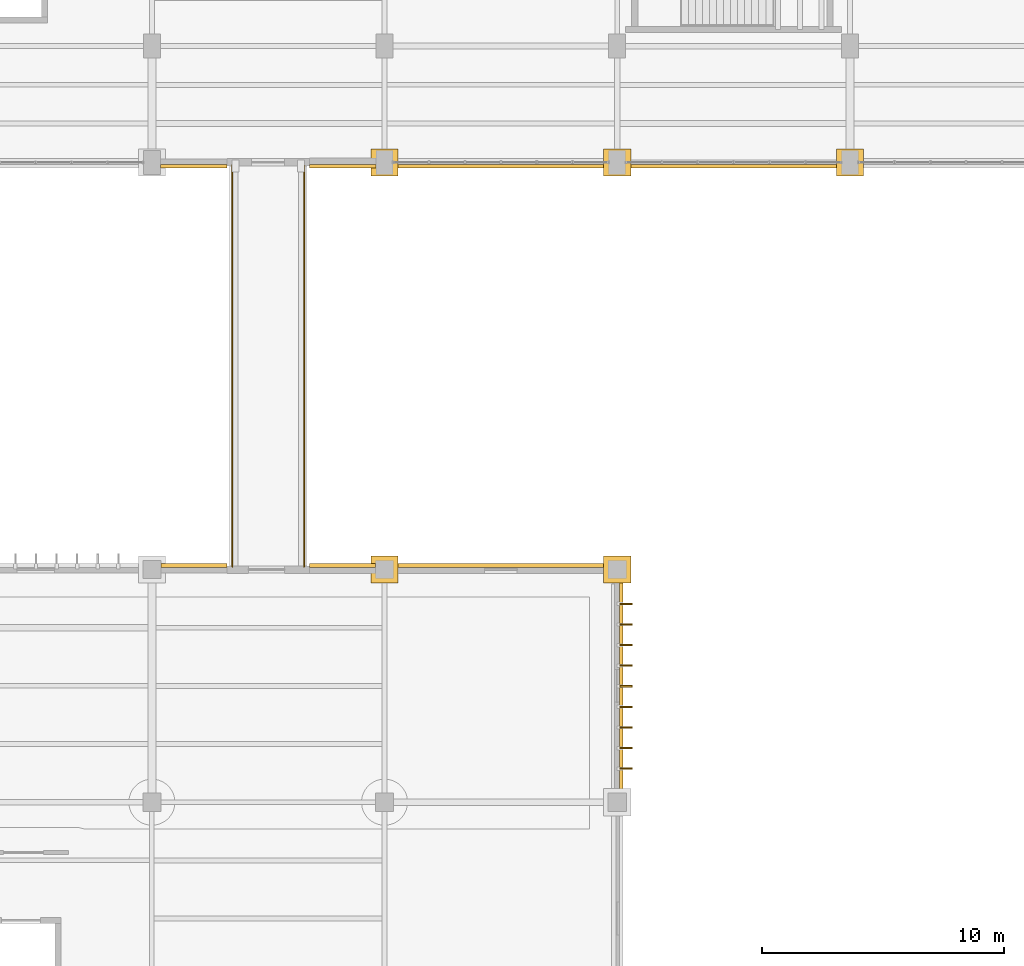
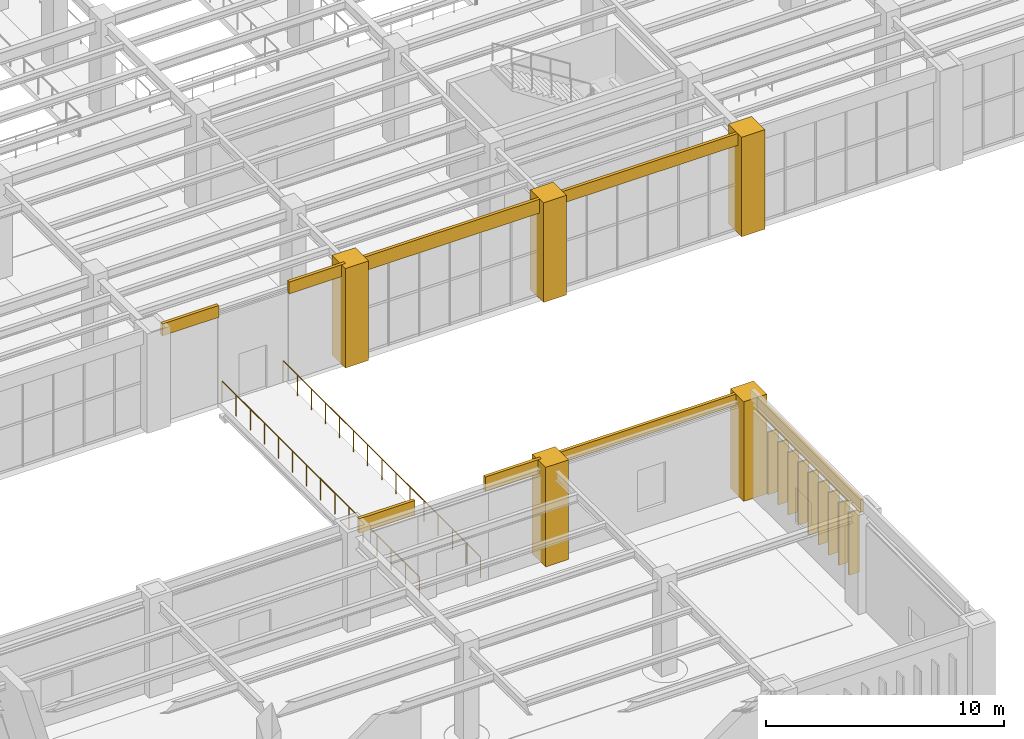
# One storey, part 171 of 174: 13 coverings, 9 shading devices, 2 railings.
"""IFC4 building model written with IfcOpenShell, lengths in metres."""

import ifcopenshell
import ifcopenshell.guid

model = None  # the IFC model being written
_history = None  # IfcOwnerHistory: only IFC2X3 demands one
_inside = {}  # id of a spatial element -> (the spatial element, [elements in it])
_under = {}  # id of a project, library or spatial element -> (it, [spatial elements below it])
_declared = {}  # id of a project -> (the project, [libraries it declares])
_typed = {}  # id of a type object -> (the type object, [elements of that type])
_made_of = {}  # id of a material, layer set ... -> (it, [elements and type objects made of it])


def new_model(schema):
    """Start an empty IFC model of exactly this schema.

    Asked for "IFC4X3", IfcOpenShell would pick the latest addendum, in which some entities
    have other attributes; the version numbers below select the first issue.
    IFC2X3 requires an IfcOwnerHistory on every rooted entity: one is made here for all.
    """
    global model, _history
    if schema == "IFC4X3":
        model = ifcopenshell.file(schema_version=(4, 3, 0, 0))
    else:
        model = ifcopenshell.file(schema=schema)
    _inside.clear()
    _under.clear()
    _declared.clear()
    _typed.clear()
    _made_of.clear()
    _history = None
    if model.schema == "IFC2X3":
        org = make("IfcOrganization", Name="unknown")
        user = make(
            "IfcPersonAndOrganization",
            ThePerson=make("IfcPerson", FamilyName="unknown"),
            TheOrganization=org,
        )
        app = make(
            "IfcApplication",
            ApplicationDeveloper=org,
            Version="unknown",
            ApplicationFullName="unknown",
            ApplicationIdentifier="unknown",
        )
        _history = make(
            "IfcOwnerHistory",
            OwningUser=user,
            OwningApplication=app,
            ChangeAction="ADDED",
            CreationDate=0,
        )
    return model


def make(cls, **values):
    """One entity of the class cls with the attributes given. An attribute that is None is left unset."""
    return model.create_entity(
        cls, **{name: value for name, value in values.items() if value is not None}
    )


def rooted(cls, **values):
    """An entity with a GlobalId (a new one), such as an element, a storey or a relation."""
    return make(cls, GlobalId=ifcopenshell.guid.new(), OwnerHistory=_history, **values)


def si_unit(unit_type, name, prefix=None):
    """IfcSIUnit, for example si_unit("LENGTHUNIT", "METRE", prefix="MILLI")."""
    return make("IfcSIUnit", UnitType=unit_type, Prefix=prefix, Name=name)


def assignment(units):
    """IfcUnitAssignment: the units of a project."""
    return None if units is None else make("IfcUnitAssignment", Units=units)


def point(xyz):
    """IfcCartesianPoint."""
    return None if xyz is None else make("IfcCartesianPoint", Coordinates=xyz)


def direction(xyz):
    """IfcDirection."""
    return None if xyz is None else make("IfcDirection", DirectionRatios=xyz)


def frame(location, z_axis=None, x_axis=None):
    """IfcAxis2Placement3D, a coordinate frame: its origin and axes. An axis left out is left unset."""
    return make(
        "IfcAxis2Placement3D",
        Location=point(location),
        Axis=direction(z_axis),
        RefDirection=direction(x_axis),
    )


def frame_2d(location, x_axis=None):
    """IfcAxis2Placement2D, a coordinate frame in the plane: its origin and x axis."""
    return make(
        "IfcAxis2Placement2D", Location=point(location), RefDirection=direction(x_axis)
    )


def origin():
    """The frame at (0, 0, 0) with its axes left unset."""
    return frame((0.0, 0.0, 0.0))


def origin_2d():
    """The frame at (0, 0) in the plane with its x axis left unset."""
    return frame_2d((0.0, 0.0))


def place(relative_to, where):
    """IfcLocalPlacement: puts the frame where relative to a parent placement (None: the world)."""
    return make(
        "IfcLocalPlacement", PlacementRelTo=relative_to, RelativePlacement=where
    )


def context(
    kind, dimensions, precision=None, world=None, true_north=None, identifier=None
):
    """IfcGeometricRepresentationContext, for example the 3D "Model" context."""
    return make(
        "IfcGeometricRepresentationContext",
        ContextIdentifier=identifier,
        ContextType=kind,
        CoordinateSpaceDimension=dimensions,
        Precision=precision,
        WorldCoordinateSystem=world,
        TrueNorth=true_north,
    )


def subcontext(parent, identifier, kind, view, scale=None):
    """IfcGeometricRepresentationSubContext, for example "Body" below "Model"."""
    return make(
        "IfcGeometricRepresentationSubContext",
        ContextIdentifier=identifier,
        ContextType=kind,
        ParentContext=parent,
        TargetScale=scale,
        TargetView=view,
    )


def project(units=None, contexts=None):
    """IfcProject with its units and contexts."""
    return rooted(
        "IfcProject",
        Name="project",
        RepresentationContexts=contexts,
        UnitsInContext=assignment(units),
    )


def spatial(cls, under=None, at=None, **own):
    """A site, building, storey or space (cls), placed at a placement, below another one or the project."""
    s = rooted(cls, ObjectPlacement=at, **own)
    if under is not None:
        _under.setdefault(under.id(), (under, []))[1].append(s)
    return s


def polyline(points):
    """IfcPolyline through the points."""
    return make("IfcPolyline", Points=[point(p) for p in points])


def profile(cls, at=None, kind="AREA", **sizes):
    """A parametric profile (cls). Its sizes go by their IFC names, for example OverallWidth=200.0."""
    return make(cls, ProfileType=kind, Position=at, **sizes)


def rectangle(**sizes):
    """IfcRectangleProfileDef."""
    return profile("IfcRectangleProfileDef", **sizes)


def circle(**sizes):
    """IfcCircleProfileDef."""
    return profile("IfcCircleProfileDef", **sizes)


def outline(outer, holes=None, kind="AREA"):
    """IfcArbitraryClosedProfileDef: a profile drawn as a closed curve; with holes, ...WithVoids."""
    if holes is None:
        return make("IfcArbitraryClosedProfileDef", ProfileType=kind, OuterCurve=outer)
    return make(
        "IfcArbitraryProfileDefWithVoids",
        ProfileType=kind,
        OuterCurve=outer,
        InnerCurves=holes,
    )


def extrude(swept, where, along, depth):
    """IfcExtrudedAreaSolid: the profile swept, set in the frame where, extruded along a direction by depth."""
    return make(
        "IfcExtrudedAreaSolid",
        SweptArea=swept,
        Position=where,
        ExtrudedDirection=direction(along),
        Depth=depth,
    )


def shape(context_of_items, identifier, shape_type, items):
    """IfcShapeRepresentation: the items that make up one representation, for example the "Body"."""
    return make(
        "IfcShapeRepresentation",
        ContextOfItems=context_of_items,
        RepresentationIdentifier=identifier,
        RepresentationType=shape_type,
        Items=items,
    )


def material(Name=None, Category=None):
    """IfcMaterial."""
    return make("IfcMaterial", Name=Name, Category=Category)


def layer(
    of_material, thickness, ventilated=None, Name=None, Category=None, Priority=None
):
    """IfcMaterialLayer: one layer of a wall or slab, of a material (None: an air gap)."""
    return make(
        "IfcMaterialLayer",
        Material=of_material,
        LayerThickness=thickness,
        IsVentilated=ventilated,
        Name=Name,
        Category=Category,
        Priority=Priority,
    )


def layer_set(layers, Name=None):
    """IfcMaterialLayerSet."""
    return make("IfcMaterialLayerSet", MaterialLayers=layers, LayerSetName=Name)


def made_of(thing, what):
    """Note that an element or type object is made of a material, layer set ...; save() writes the relation."""
    if what is not None:
        _made_of.setdefault(what.id(), (what, []))[1].append(thing)
    return thing


def type_object(cls, material=None, **own):
    """A type object (cls), such as IfcWallType, which elements share."""
    return made_of(rooted(cls, **own), material)


def element(
    cls,
    number,
    at=None,
    inside=None,
    cuts=None,
    type_object=None,
    material=None,
    context=None,
    identifier="Body",
    shape_type=None,
    held_by="IfcProductDefinitionShape",
    body=None,
    shapes=None,
    **own,
):
    """One element of the class cls, such as IfcWall. Its Tag is "e" and its number.

    at: its placement. inside: the storey or other place that contains it. cuts: it is an
    opening in that element (IfcRelVoidsElement). A single representation is given by context,
    identifier, shape_type and body (its items); several are given by shapes. held_by: the class
    of the entity that holds the representations. save() writes the other relations.
    """
    e = rooted(cls, Tag="e%d" % number, ObjectPlacement=at, **own)
    if body is not None:
        shapes = [shape(context, identifier, shape_type, body)]
    if shapes is not None:
        e.Representation = make(held_by, Representations=shapes)
    if inside is not None:
        _inside.setdefault(inside.id(), (inside, []))[1].append(e)
    if cuts is not None:
        rooted(
            "IfcRelVoidsElement", RelatingBuildingElement=cuts, RelatedOpeningElement=e
        )
    if type_object is not None:
        _typed.setdefault(type_object.id(), (type_object, []))[1].append(e)
    return made_of(e, material)


def aggregate(whole, parts):
    """IfcRelAggregates: a whole, such as a stair, and the parts it consists of."""
    return rooted("IfcRelAggregates", RelatingObject=whole, RelatedObjects=parts)


def save(model, path):
    """Write the relations noted so far, then the file.

    IfcRelAggregates (storeys below a building ...), IfcRelContainedInSpatialStructure (elements
    in a storey), IfcRelDefinesByType, IfcRelAssociatesMaterial and IfcRelDeclares: one each for
    every whole, place, type object, material and project.
    """
    for whole, parts in _under.values():
        aggregate(whole, parts)
    for where, things in _inside.values():
        rooted(
            "IfcRelContainedInSpatialStructure",
            RelatedElements=things,
            RelatingStructure=where,
        )
    for kind, things in _typed.values():
        rooted("IfcRelDefinesByType", RelatedObjects=things, RelatingType=kind)
    for what, things in _made_of.values():
        rooted("IfcRelAssociatesMaterial", RelatedObjects=things, RelatingMaterial=what)
    for by, libraries in _declared.values():
        rooted("IfcRelDeclares", RelatingContext=by, RelatedDefinitions=libraries)
    model.write(path)


model = new_model("IFC4")

# Units and contexts
model_context = context("Model", 3, precision=1e-05, world=origin(), true_north=direction((0.0, 1.0)))
body_context = subcontext(model_context, "Body", "Model", "MODEL_VIEW")
ifc_project = project(units=[si_unit("LENGTHUNIT", "METRE"), si_unit("AREAUNIT", "SQUARE_METRE"), si_unit("VOLUMEUNIT", "CUBIC_METRE"), si_unit("PLANEANGLEUNIT", "RADIAN"), si_unit("MASSUNIT", "GRAM", prefix="KILO")], contexts=[model_context])

# Site, building, storey
site_placement = place(None, origin())
site = spatial("IfcSite", under=ifc_project, at=site_placement, CompositionType="ELEMENT")
building_placement = place(site_placement, origin())
building = spatial("IfcBuilding", under=site, at=building_placement, Name="Mavantir Sound Aquarium", CompositionType="ELEMENT")
storey_placement = place(building_placement, frame((0.0, 0.0, 5.39990234375)))
storey = spatial("IfcBuildingStorey", under=building, at=storey_placement, Name="L01", CompositionType="ELEMENT", Elevation=5.39990234375)

# Coverings
ifc_material_1 = material(Name="Honed Coral-Limestone & Glazed Terracotta Rainscreen Cladding", Category="masonry")
ifc_layer = layer(ifc_material_1, 0.06005859375, Name="Honed Coral-Limestone & Glazed Terracotta Rainscreen Cladding")
ifc_layer_set = layer_set([ifc_layer], Name="Honed Coral-Limestone & Glazed Terracotta Rainscreen Cladding")
covering_type = type_object("IfcCoveringType", Name="COV-CLAD-TC", PredefinedType="CLADDING", material=ifc_layer_set)
covering_1_placement = place(storey_placement, frame((0.0, 0.0, 4.4931640625)))
element("IfcCovering", 1, at=covering_1_placement, inside=storey, type_object=covering_type, Name="L01 Postmodern coral-limestone spandrel frieze 227", PredefinedType="CLADDING", context=body_context, shape_type="SweptSolid", body=[
    extrude(outline(polyline([(127.55810546875, 35.909912109375), (130.294921875, 35.909912109375), (130.294921875, 35.760009765625), (127.55810546875, 35.760009765625), (127.55810546875, 35.909912109375)])), origin(), (0.0, 0.0, 1.0), 0.60693359375),
])
covering_2_placement = place(storey_placement, frame((0.0, 0.0, 4.4931640625)))
element("IfcCovering", 2, at=covering_2_placement, inside=storey, type_object=covering_type, Name="L01 Postmodern coral-limestone spandrel frieze 228", PredefinedType="CLADDING", context=body_context, shape_type="SweptSolid", body=[
    extrude(outline(polyline([(133.705078125, 35.909912109375), (136.44189453125, 35.909912109375), (136.44189453125, 35.760009765625), (133.705078125, 35.760009765625), (133.705078125, 35.909912109375)])), origin(), (0.0, 0.0, 1.0), 0.60693359375),
])
covering_3_placement = place(storey_placement, frame((0.0, 0.0, 4.38818359375)))
element("IfcCovering", 3, at=covering_3_placement, inside=storey, type_object=covering_type, Name="L01 Postmodern coral-limestone spandrel frieze 229", PredefinedType="CLADDING", context=body_context, shape_type="SweptSolid", body=[
    extrude(outline(polyline([(137.157958984375, 35.909912109375), (146.0419921875, 35.909912109375), (146.0419921875, 35.760009765625), (137.157958984375, 35.760009765625), (137.157958984375, 35.909912109375)])), origin(), (0.0, 0.0, 1.0), 0.7119140625),
])
covering_4_placement = place(storey_placement, frame((0.0, 0.0, 4.4931640625)))
element("IfcCovering", 4, at=covering_4_placement, inside=storey, type_object=covering_type, Name="L01 Postmodern coral-limestone spandrel frieze 230", PredefinedType="CLADDING", context=body_context, shape_type="SweptSolid", body=[
    extrude(outline(polyline([(146.758056640625, 35.909912109375), (155.64208984375, 35.909912109375), (155.64208984375, 35.760009765625), (146.758056640625, 35.760009765625), (146.758056640625, 35.909912109375)])), origin(), (0.0, 0.0, 1.0), 0.60693359375),
])
covering_5_placement = place(storey_placement, frame((0.0, 0.0, 4.427978515625)))
element("IfcCovering", 5, at=covering_5_placement, inside=storey, type_object=covering_type, Name="L01 Postmodern coral-limestone spandrel frieze 261", PredefinedType="CLADDING", context=body_context, shape_type="SweptSolid", body=[
    extrude(outline(polyline([(146.489990234375, 9.98291015625), (146.489990234375, 18.81689453125), (146.639892578125, 18.81689453125), (146.639892578125, 9.98291015625), (146.489990234375, 9.98291015625)])), origin(), (0.0, 0.0, 1.0), 0.672119140625),
])
covering_6_placement = place(storey_placement, frame((0.0, 0.0, 4.533203125)))
element("IfcCovering", 6, at=covering_6_placement, inside=storey, type_object=covering_type, Name="L01 Postmodern coral-limestone spandrel frieze 262", PredefinedType="CLADDING", context=body_context, shape_type="SweptSolid", body=[
    extrude(outline(polyline([(146.01708984375, 19.2900390625), (137.18310546875, 19.2900390625), (137.18310546875, 19.43994140625), (146.01708984375, 19.43994140625), (146.01708984375, 19.2900390625)])), origin(), (0.0, 0.0, 1.0), 0.56689453125),
])
covering_7_placement = place(storey_placement, frame((0.0, 0.0, 4.358154296875)))
element("IfcCovering", 7, at=covering_7_placement, inside=storey, type_object=covering_type, Name="L01 Postmodern coral-limestone spandrel frieze 263", PredefinedType="CLADDING", context=body_context, shape_type="SweptSolid", body=[
    extrude(outline(polyline([(136.4169921875, 19.2900390625), (133.705078125, 19.2900390625), (133.705078125, 19.43994140625), (136.4169921875, 19.43994140625), (136.4169921875, 19.2900390625)])), origin(), (0.0, 0.0, 1.0), 0.741943359375),
])
covering_8_placement = place(storey_placement, frame((0.0, 0.0, 4.358154296875)))
element("IfcCovering", 8, at=covering_8_placement, inside=storey, type_object=covering_type, Name="L01 Postmodern coral-limestone spandrel frieze 264", PredefinedType="CLADDING", context=body_context, shape_type="SweptSolid", body=[
    extrude(outline(polyline([(130.294921875, 19.2900390625), (127.5830078125, 19.2900390625), (127.5830078125, 19.43994140625), (130.294921875, 19.43994140625), (130.294921875, 19.2900390625)])), origin(), (0.0, 0.0, 1.0), 0.741943359375),
])
covering_9_placement = place(storey_placement, origin())
element("IfcCovering", 9, at=covering_9_placement, inside=storey, type_object=covering_type, Name="L01 Postmodern coral-limestone pilaster casing 276", PredefinedType="CLADDING", context=body_context, shape_type="SweptSolid", body=[
    extrude(outline(polyline([(136.239990234375, 35.43994140625), (137.360107421875, 35.43994140625), (137.360107421875, 36.56005859375), (136.239990234375, 36.56005859375), (136.239990234375, 35.43994140625)])), origin(), (0.0, 0.0, 1.0), 5.10009765625),
])
covering_10_placement = place(storey_placement, origin())
element("IfcCovering", 10, at=covering_10_placement, inside=storey, type_object=covering_type, Name="L01 Postmodern coral-limestone pilaster casing 288", PredefinedType="CLADDING", context=body_context, shape_type="SweptSolid", body=[
    extrude(outline(polyline([(145.840087890625, 35.43994140625), (146.9599609375, 35.43994140625), (146.9599609375, 36.56005859375), (145.840087890625, 36.56005859375), (145.840087890625, 35.43994140625)])), origin(), (0.0, 0.0, 1.0), 5.10009765625),
])
covering_11_placement = place(storey_placement, origin())
element("IfcCovering", 11, at=covering_11_placement, inside=storey, type_object=covering_type, Name="L01 Postmodern coral-limestone pilaster casing 300", PredefinedType="CLADDING", context=body_context, shape_type="SweptSolid", body=[
    extrude(outline(polyline([(155.43994140625, 35.43994140625), (156.56005859375, 35.43994140625), (156.56005859375, 36.56005859375), (155.43994140625, 36.56005859375), (155.43994140625, 35.43994140625)])), origin(), (0.0, 0.0, 1.0), 5.10009765625),
])
covering_12_placement = place(storey_placement, origin())
element("IfcCovering", 12, at=covering_12_placement, inside=storey, type_object=covering_type, Name="L01 Postmodern coral-limestone pilaster casing 451", PredefinedType="CLADDING", context=body_context, shape_type="SweptSolid", body=[
    extrude(outline(polyline([(136.239990234375, 18.639892578125), (137.360107421875, 18.639892578125), (137.360107421875, 19.760009765625), (136.239990234375, 19.760009765625), (136.239990234375, 18.639892578125)])), origin(), (0.0, 0.0, 1.0), 5.10009765625),
])
covering_13_placement = place(storey_placement, origin())
element("IfcCovering", 13, at=covering_13_placement, inside=storey, type_object=covering_type, Name="L01 Postmodern coral-limestone pilaster casing 457", PredefinedType="CLADDING", context=body_context, shape_type="SweptSolid", body=[
    extrude(outline(polyline([(145.840087890625, 18.639892578125), (146.9599609375, 18.639892578125), (146.9599609375, 19.760009765625), (145.840087890625, 19.760009765625), (145.840087890625, 18.639892578125)])), origin(), (0.0, 0.0, 1.0), 5.10009765625),
])

# Railings
ifc_material_2 = material(Name="Stainless Steel 316 Bridge Balustrade", Category="steel")
railing_type = type_object("IfcRailingType", Name="RL-BAL-110", PredefinedType="BALUSTRADE", material=ifc_material_2)
railing_1_placement = place(storey_placement, frame((130.52001953125, 19.320068359375, 0.0)))
element("IfcRailing", 14, at=railing_1_placement, inside=storey, type_object=railing_type, Name="L01 bridge W guardrail 10", PredefinedType="BALUSTRADE", context=body_context, shape_type="SweptSolid", body=[
    extrude(circle(Radius=0.02392578125, at=origin_2d()), frame((0.0, 0.0, 1.076171875), z_axis=(0.0, 1.0, 0.0), x_axis=(-1.0, 0.0, 0.0)), (0.0, 0.0, 1.0), 16.559814453125),
    extrude(circle(Radius=0.02099609375, at=origin_2d()), origin(), (0.0, 0.0, 1.0), 1.052001953125),
    extrude(circle(Radius=0.02099609375, at=origin_2d()), frame((0.0, 1.182861328125, 0.0)), (0.0, 0.0, 1.0), 1.052001953125),
    extrude(circle(Radius=0.02099609375, at=origin_2d()), frame((0.0, 2.36572265625, 0.0)), (0.0, 0.0, 1.0), 1.052001953125),
    extrude(circle(Radius=0.02099609375, at=origin_2d()), frame((0.0, 3.548583984375, 0.0)), (0.0, 0.0, 1.0), 1.052001953125),
    extrude(circle(Radius=0.02099609375, at=origin_2d()), frame((0.0, 4.7314453125, 0.0)), (0.0, 0.0, 1.0), 1.052001953125),
    extrude(circle(Radius=0.02099609375, at=origin_2d()), frame((0.0, 5.914306640625, 0.0)), (0.0, 0.0, 1.0), 1.052001953125),
    extrude(circle(Radius=0.02099609375, at=origin_2d()), frame((0.0, 7.09716796875, 0.0)), (0.0, 0.0, 1.0), 1.052001953125),
    extrude(circle(Radius=0.02099609375, at=origin_2d()), frame((0.0, 8.27978515625, 0.0)), (0.0, 0.0, 1.0), 1.052001953125),
    extrude(circle(Radius=0.02099609375, at=origin_2d()), frame((0.0, 9.462646484375, 0.0)), (0.0, 0.0, 1.0), 1.052001953125),
    extrude(circle(Radius=0.02099609375, at=origin_2d()), frame((0.0, 10.6455078125, 0.0)), (0.0, 0.0, 1.0), 1.052001953125),
    extrude(circle(Radius=0.02099609375, at=origin_2d()), frame((0.0, 11.828369140625, 0.0)), (0.0, 0.0, 1.0), 1.052001953125),
    extrude(circle(Radius=0.02099609375, at=origin_2d()), frame((0.0, 13.01123046875, 0.0)), (0.0, 0.0, 1.0), 1.052001953125),
    extrude(circle(Radius=0.02099609375, at=origin_2d()), frame((0.0, 14.194091796875, 0.0)), (0.0, 0.0, 1.0), 1.052001953125),
    extrude(circle(Radius=0.02099609375, at=origin_2d()), frame((0.0, 15.376953125, 0.0)), (0.0, 0.0, 1.0), 1.052001953125),
    extrude(circle(Radius=0.02099609375, at=origin_2d()), frame((0.0, 16.559814453125, 0.0)), (0.0, 0.0, 1.0), 1.052001953125),
])
railing_2_placement = place(storey_placement, frame((133.47998046875, 19.320068359375, 0.0)))
element("IfcRailing", 15, at=railing_2_placement, inside=storey, type_object=railing_type, Name="L01 bridge E guardrail 11", PredefinedType="BALUSTRADE", context=body_context, shape_type="SweptSolid", body=[
    extrude(circle(Radius=0.02392578125, at=origin_2d()), frame((0.0, 0.0, 1.076171875), z_axis=(0.0, 1.0, 0.0), x_axis=(-1.0, 0.0, 0.0)), (0.0, 0.0, 1.0), 16.559814453125),
    extrude(circle(Radius=0.02099609375, at=origin_2d()), origin(), (0.0, 0.0, 1.0), 1.052001953125),
    extrude(circle(Radius=0.02099609375, at=origin_2d()), frame((0.0, 1.182861328125, 0.0)), (0.0, 0.0, 1.0), 1.052001953125),
    extrude(circle(Radius=0.02099609375, at=origin_2d()), frame((0.0, 2.36572265625, 0.0)), (0.0, 0.0, 1.0), 1.052001953125),
    extrude(circle(Radius=0.02099609375, at=origin_2d()), frame((0.0, 3.548583984375, 0.0)), (0.0, 0.0, 1.0), 1.052001953125),
    extrude(circle(Radius=0.02099609375, at=origin_2d()), frame((0.0, 4.7314453125, 0.0)), (0.0, 0.0, 1.0), 1.052001953125),
    extrude(circle(Radius=0.02099609375, at=origin_2d()), frame((0.0, 5.914306640625, 0.0)), (0.0, 0.0, 1.0), 1.052001953125),
    extrude(circle(Radius=0.02099609375, at=origin_2d()), frame((0.0, 7.09716796875, 0.0)), (0.0, 0.0, 1.0), 1.052001953125),
    extrude(circle(Radius=0.02099609375, at=origin_2d()), frame((0.0, 8.27978515625, 0.0)), (0.0, 0.0, 1.0), 1.052001953125),
    extrude(circle(Radius=0.02099609375, at=origin_2d()), frame((0.0, 9.462646484375, 0.0)), (0.0, 0.0, 1.0), 1.052001953125),
    extrude(circle(Radius=0.02099609375, at=origin_2d()), frame((0.0, 10.6455078125, 0.0)), (0.0, 0.0, 1.0), 1.052001953125),
    extrude(circle(Radius=0.02099609375, at=origin_2d()), frame((0.0, 11.828369140625, 0.0)), (0.0, 0.0, 1.0), 1.052001953125),
    extrude(circle(Radius=0.02099609375, at=origin_2d()), frame((0.0, 13.01123046875, 0.0)), (0.0, 0.0, 1.0), 1.052001953125),
    extrude(circle(Radius=0.02099609375, at=origin_2d()), frame((0.0, 14.194091796875, 0.0)), (0.0, 0.0, 1.0), 1.052001953125),
    extrude(circle(Radius=0.02099609375, at=origin_2d()), frame((0.0, 15.376953125, 0.0)), (0.0, 0.0, 1.0), 1.052001953125),
    extrude(circle(Radius=0.02099609375, at=origin_2d()), frame((0.0, 16.559814453125, 0.0)), (0.0, 0.0, 1.0), 1.052001953125),
])

# Shading devices
ifc_material_3 = material(Name="Anodised Terracotta-Finish Aluminium Brise-Soleil", Category="masonry")
shading_device_type = type_object("IfcShadingDeviceType", Name="SHD-FIN-520", PredefinedType="JALOUSIE", material=ifc_material_3)
for number, where, z_axis, x_axis, name in (
    (16, (146.760009765625, 10.98291015625, 0.63916015625), (0.0, 0.0, 1.0), (0.0, -1.0, 0.0), "Tropical solar brise-soleil fin 29"),
    (17, (146.760009765625, 11.8330078125, 0.63916015625), (0.0, 0.0, 1.0), (0.0, -1.0, 0.0), "Tropical solar brise-soleil fin 30"),
    (18, (146.760009765625, 12.68310546875, 0.63916015625), (0.0, 0.0, 1.0), (0.0, -1.0, 0.0), "Tropical solar brise-soleil fin 31"),
    (19, (146.760009765625, 13.532958984375, 0.63916015625), (0.0, 0.0, 1.0), (0.0, -1.0, 0.0), "Tropical solar brise-soleil fin 32"),
    (20, (146.760009765625, 14.383056640625, 0.63916015625), (0.0, 0.0, 1.0), (0.0, -1.0, 0.0), "Tropical solar brise-soleil fin 33"),
    (21, (146.760009765625, 15.23291015625, 0.63916015625), (0.0, 0.0, 1.0), (0.0, -1.0, 0.0), "Tropical solar brise-soleil fin 34"),
    (22, (146.760009765625, 16.0830078125, 0.63916015625), (0.0, 0.0, 1.0), (0.0, -1.0, 0.0), "Tropical solar brise-soleil fin 35"),
    (23, (146.760009765625, 16.93310546875, 0.63916015625), (0.0, 0.0, 1.0), (0.0, -1.0, 0.0), "Tropical solar brise-soleil fin 36"),
    (24, (146.760009765625, 17.782958984375, 0.63916015625), (0.0, 0.0, 1.0), (0.0, -1.0, 0.0), "Tropical solar brise-soleil fin 37"),
):
    element("IfcShadingDevice", number, at=place(storey_placement, frame(where, z_axis=z_axis, x_axis=x_axis)), inside=storey, type_object=shading_device_type, Name=name, PredefinedType="JALOUSIE", context=body_context, shape_type="SweptSolid", body=[
        extrude(rectangle(XDim=0.06494140625, YDim=0.52001953125, at=origin_2d()), origin(), (0.0, 0.0, 1.0), 3.199951171875),
    ])

save(model, "model.ifc")
